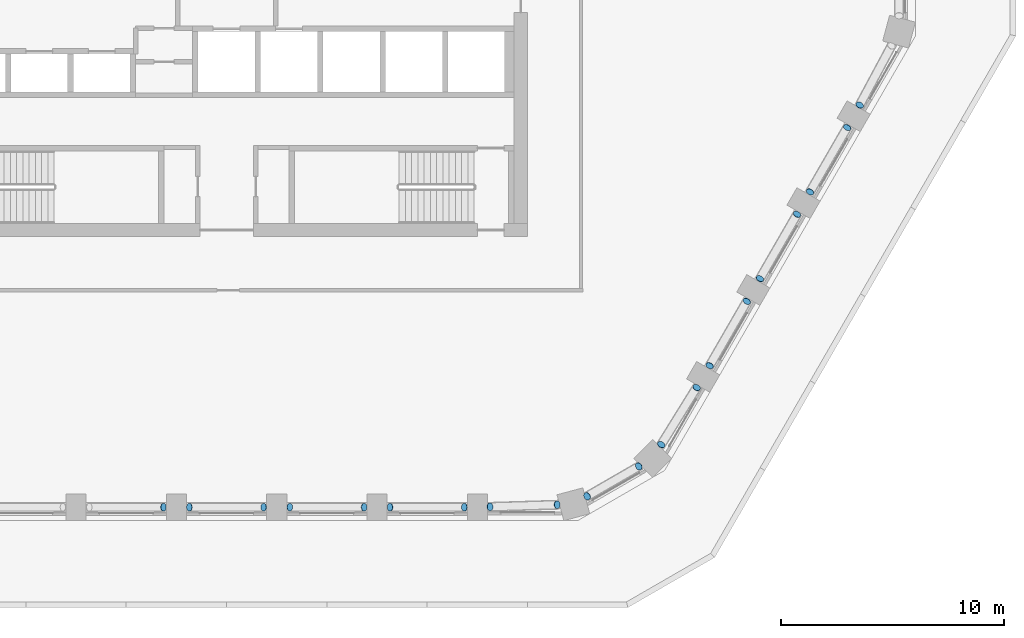
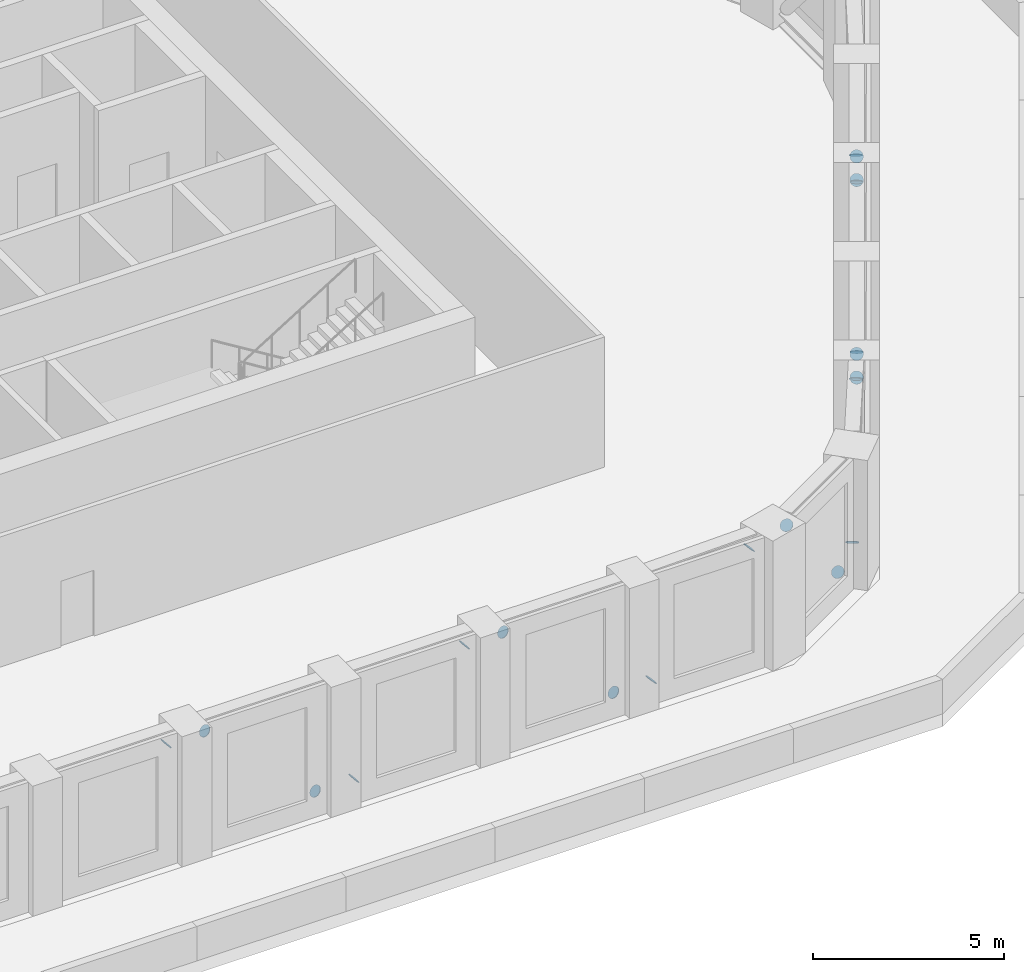
# One storey, part 11 of 14: 20 discrete accessories.
"""IFC4 building model written with IfcOpenShell, lengths in metres."""

from ifc_helpers import new_model, si_unit, direction, frame, origin, origin_2d, place, context, subcontext, project, spatial, circle, extrude, material, material_profile, profile_set, type_object, element, save


model = new_model("IFC4")

# Units and contexts
model_context = context("Model", 3, precision=1e-05, world=origin(), true_north=direction((0.0, 1.0)))
body_context = subcontext(model_context, "Body", "Model", "MODEL_VIEW")
ifc_project = project(units=[si_unit("LENGTHUNIT", "METRE"), si_unit("AREAUNIT", "SQUARE_METRE"), si_unit("VOLUMEUNIT", "CUBIC_METRE"), si_unit("PLANEANGLEUNIT", "RADIAN"), si_unit("MASSUNIT", "GRAM", prefix="KILO")], contexts=[model_context])

# Site, building, storey
site_placement = place(None, origin())
site = spatial("IfcSite", under=ifc_project, at=site_placement, CompositionType="ELEMENT")
building_placement = place(site_placement, origin())
building = spatial("IfcBuilding", under=site, at=building_placement, Name="Dhurran Vertical Campus", CompositionType="ELEMENT")
storey_placement = place(building_placement, frame((0.0, 0.0, 179.39990234375)))
storey = spatial("IfcBuildingStorey", under=building, at=storey_placement, Name="L44 Plant", CompositionType="ELEMENT", Elevation=179.39990234375)

# Discrete accessories
ifc_material = material(Name="Steel S355J2", Category="steel")
ifc_material_profile = material_profile(ifc_material, circle(Radius=0.177734375, at=origin_2d()), Name="Tube end cap 356 x 20")
ifc_profile_set = profile_set([ifc_material_profile], Name="Steel S355J2")
discrete_accessory_type = type_object("IfcDiscreteAccessoryType", Name="Tube end cap 356 x 20", PredefinedType="USERDEFINED", material=ifc_profile_set)
discrete_accessory_1_placement = place(storey_placement, frame((-2.8408203125, -23.385498046875, 3.61279296875), z_axis=(0.737154140201, 0.0, 0.675724628517), x_axis=(0.0, 1.0, 0.0)))
element("IfcDiscreteAccessory", 1, at=discrete_accessory_1_placement, inside=storey, type_object=discrete_accessory_type, Name="EC1 belt L44 d02 capB", ObjectType="END CAP", PredefinedType="USERDEFINED", context=body_context, shape_type="SweptSolid", body=[
    extrude(circle(Radius=0.177734375, at=origin_2d()), origin(), (0.0, 0.0, 1.0), 0.019775390625),
])
discrete_accessory_2_placement = place(storey_placement, frame((1.6591796875, -23.385498046875, 0.53759765625), z_axis=(0.731055268243, 0.0, -0.68231825036), x_axis=(0.0, 1.0, 0.0)))
element("IfcDiscreteAccessory", 2, at=discrete_accessory_2_placement, inside=storey, type_object=discrete_accessory_type, Name="EC1 belt L44 d03 capA", ObjectType="END CAP", PredefinedType="USERDEFINED", context=body_context, shape_type="SweptSolid", body=[
    extrude(circle(Radius=0.177734375, at=origin_2d()), origin(), (0.0, 0.0, 1.0), 0.02001953125),
])
discrete_accessory_3_placement = place(storey_placement, frame((-1.6591796875, -23.385498046875, 3.61279296875), z_axis=(-0.737154140201, 0.0, 0.675724628517), x_axis=(0.0, -1.0, 0.0)))
element("IfcDiscreteAccessory", 3, at=discrete_accessory_3_placement, inside=storey, type_object=discrete_accessory_type, Name="EC1 belt L44 d03 capB", ObjectType="END CAP", PredefinedType="USERDEFINED", context=body_context, shape_type="SweptSolid", body=[
    extrude(circle(Radius=0.177734375, at=origin_2d()), origin(), (0.0, 0.0, 1.0), 0.019775390625),
])
discrete_accessory_4_placement = place(storey_placement, frame((2.8408203125, -23.385498046875, 0.53759765625), z_axis=(-0.731055268243, 0.0, -0.68231825036), x_axis=(0.0, -1.0, 0.0)))
element("IfcDiscreteAccessory", 4, at=discrete_accessory_4_placement, inside=storey, type_object=discrete_accessory_type, Name="EC1 belt L44 d04 capA", ObjectType="END CAP", PredefinedType="USERDEFINED", context=body_context, shape_type="SweptSolid", body=[
    extrude(circle(Radius=0.177734375, at=origin_2d()), origin(), (0.0, 0.0, 1.0), 0.02001953125),
])
discrete_accessory_5_placement = place(storey_placement, frame((6.1591796875, -23.385498046875, 3.61279296875), z_axis=(0.737154140201, 0.0, 0.675724628517), x_axis=(0.0, 1.0, 0.0)))
element("IfcDiscreteAccessory", 5, at=discrete_accessory_5_placement, inside=storey, type_object=discrete_accessory_type, Name="EC1 belt L44 d04 capB", ObjectType="END CAP", PredefinedType="USERDEFINED", context=body_context, shape_type="SweptSolid", body=[
    extrude(circle(Radius=0.177734375, at=origin_2d()), origin(), (0.0, 0.0, 1.0), 0.019775390625),
])
discrete_accessory_6_placement = place(storey_placement, frame((10.6591796875, -23.385498046875, 0.53759765625), z_axis=(0.731055268243, 0.0, -0.68231825036), x_axis=(0.0, 1.0, 0.0)))
element("IfcDiscreteAccessory", 6, at=discrete_accessory_6_placement, inside=storey, type_object=discrete_accessory_type, Name="EC1 belt L44 d05 capA", ObjectType="END CAP", PredefinedType="USERDEFINED", context=body_context, shape_type="SweptSolid", body=[
    extrude(circle(Radius=0.177734375, at=origin_2d()), origin(), (0.0, 0.0, 1.0), 0.02001953125),
])
discrete_accessory_7_placement = place(storey_placement, frame((7.3408203125, -23.385498046875, 3.61279296875), z_axis=(-0.737154140201, 0.0, 0.675724628517), x_axis=(0.0, -1.0, 0.0)))
element("IfcDiscreteAccessory", 7, at=discrete_accessory_7_placement, inside=storey, type_object=discrete_accessory_type, Name="EC1 belt L44 d05 capB", ObjectType="END CAP", PredefinedType="USERDEFINED", context=body_context, shape_type="SweptSolid", body=[
    extrude(circle(Radius=0.177734375, at=origin_2d()), origin(), (0.0, 0.0, 1.0), 0.019775390625),
])
discrete_accessory_8_placement = place(storey_placement, frame((11.8203125, -23.36767578125, 0.531005859375), z_axis=(-0.694605630899, -0.0243721274, -0.718977758299), x_axis=(0.035066140133, -0.999384993792, 0.0)))
element("IfcDiscreteAccessory", 8, at=discrete_accessory_8_placement, inside=storey, type_object=discrete_accessory_type, Name="EC1 belt L44 d06 capA", ObjectType="END CAP", PredefinedType="USERDEFINED", context=body_context, shape_type="SweptSolid", body=[
    extrude(circle(Radius=0.177734375, at=origin_2d()), origin(), (0.0, 0.0, 1.0), 0.02001953125),
])
for number, where, z_axis, x_axis, name in (
    (9, (14.81689453125, -23.273681640625, 3.619384765625), (0.700719636996, 0.02458665393, 0.713012963961), (-0.035066140133, 0.999384993792, 0.0), "EC1 belt L44 d06 capB"),
    (10, (18.485107421875, -21.557861328125, 0.52294921875), (0.564682908561, 0.319168600491, -0.761094355017), (-0.492057256668, 0.87056283872, 0.0), "EC1 belt L44 d07 capA"),
):
    element("IfcDiscreteAccessory", number, at=place(storey_placement, frame(where, z_axis=z_axis, x_axis=x_axis)), inside=storey, type_object=discrete_accessory_type, Name=name, ObjectType="END CAP", PredefinedType="USERDEFINED", context=body_context, shape_type="SweptSolid", body=[
        extrude(circle(Radius=0.177734375, at=origin_2d()), origin(), (0.0, 0.0, 1.0), 0.019775390625),
    ])
discrete_accessory_9_placement = place(storey_placement, frame((16.17724609375, -22.890380859375, 3.627197265625), z_axis=(-0.557258583998, -0.327086560173, 0.763201973736), x_axis=(0.506200568764, -0.862415783821, 0.0)))
element("IfcDiscreteAccessory", 11, at=discrete_accessory_9_placement, inside=storey, type_object=discrete_accessory_type, Name="EC1 belt L44 d07 capB", ObjectType="END CAP", PredefinedType="USERDEFINED", context=body_context, shape_type="SweptSolid", body=[
    extrude(circle(Radius=0.177734375, at=origin_2d()), origin(), (0.0, 0.0, 1.0), 0.020263671875),
])
for number, where, z_axis, x_axis, name in (
    (12, (19.497314453125, -20.571533203125, 0.531005859375), (-0.364285900146, -0.595000303572, -0.716428936954), (0.852851304076, -0.522153859639, 0.0), "EC1 belt L44 d08 capA"),
    (13, (21.076904296875, -18.0234375, 3.619384765625), (0.367469397963, 0.600200016674, 0.710440836063), (-0.852851304076, 0.522153859639, 0.0), "EC1 belt L44 d08 capB"),
    (14, (23.33203125, -14.15283203125, 0.53759765625), (0.375902579927, 0.630546263103, -0.679049821803), (-0.858946974209, 0.512064542317, 0.0), "EC1 belt L44 d09 capA"),
):
    element("IfcDiscreteAccessory", number, at=place(storey_placement, frame(where, z_axis=z_axis, x_axis=x_axis)), inside=storey, type_object=discrete_accessory_type, Name=name, ObjectType="END CAP", PredefinedType="USERDEFINED", context=body_context, shape_type="SweptSolid", body=[
        extrude(circle(Radius=0.177734375, at=origin_2d()), origin(), (0.0, 0.0, 1.0), 0.02001953125),
    ])
discrete_accessory_10_placement = place(storey_placement, frame((21.6728515625, -17.02685546875, 3.61279296875), z_axis=(-0.368465851911, -0.638674143313, 0.675520728504), x_axis=(0.866185586049, -0.49972245349, 0.0)))
element("IfcDiscreteAccessory", 15, at=discrete_accessory_10_placement, inside=storey, type_object=discrete_accessory_type, Name="EC1 belt L44 d09 capB", ObjectType="END CAP", PredefinedType="USERDEFINED", context=body_context, shape_type="SweptSolid", body=[
    extrude(circle(Radius=0.177734375, at=origin_2d()), origin(), (0.0, 0.0, 1.0), 0.019775390625),
])
for number, where, z_axis, x_axis, name in (
    (16, (23.9228515625, -13.129638671875, 0.53759765625), (-0.365419152851, -0.633393198274, -0.682115751988), (0.866185586049, -0.49972245349, 0.0), "EC1 belt L44 d10 capA"),
    (17, (25.58203125, -10.255859375, 3.61279296875), (0.37900822508, 0.635755732393, 0.672433947723), (-0.858946974209, 0.512064542317, 0.0), "EC1 belt L44 d10 capB"),
    (18, (27.83203125, -6.358642578125, 0.53759765625), (0.375902579927, 0.630546263103, -0.679049821803), (-0.858946974209, 0.512064542317, 0.0), "EC1 belt L44 d11 capA"),
):
    element("IfcDiscreteAccessory", number, at=place(storey_placement, frame(where, z_axis=z_axis, x_axis=x_axis)), inside=storey, type_object=discrete_accessory_type, Name=name, ObjectType="END CAP", PredefinedType="USERDEFINED", context=body_context, shape_type="SweptSolid", body=[
        extrude(circle(Radius=0.177734375, at=origin_2d()), origin(), (0.0, 0.0, 1.0), 0.02001953125),
    ])
discrete_accessory_11_placement = place(storey_placement, frame((26.1728515625, -9.232666015625, 3.61279296875), z_axis=(-0.368465851911, -0.638674143313, 0.675520728504), x_axis=(0.866185586049, -0.49972245349, 0.0)))
element("IfcDiscreteAccessory", 19, at=discrete_accessory_11_placement, inside=storey, type_object=discrete_accessory_type, Name="EC1 belt L44 d11 capB", ObjectType="END CAP", PredefinedType="USERDEFINED", context=body_context, shape_type="SweptSolid", body=[
    extrude(circle(Radius=0.177734375, at=origin_2d()), origin(), (0.0, 0.0, 1.0), 0.019775390625),
])
discrete_accessory_12_placement = place(storey_placement, frame((28.397216796875, -5.344482421875, 0.531005859375), z_axis=(-0.340427104461, -0.60790554368, -0.717328541542), x_axis=(0.87250601595, -0.488603368932, 0.0)))
element("IfcDiscreteAccessory", 20, at=discrete_accessory_12_placement, inside=storey, type_object=discrete_accessory_type, Name="EC1 belt L44 d12 capA", ObjectType="END CAP", PredefinedType="USERDEFINED", context=body_context, shape_type="SweptSolid", body=[
    extrude(circle(Radius=0.177734375, at=origin_2d()), origin(), (0.0, 0.0, 1.0), 0.02001953125),
])

save(model, "model.ifc")
